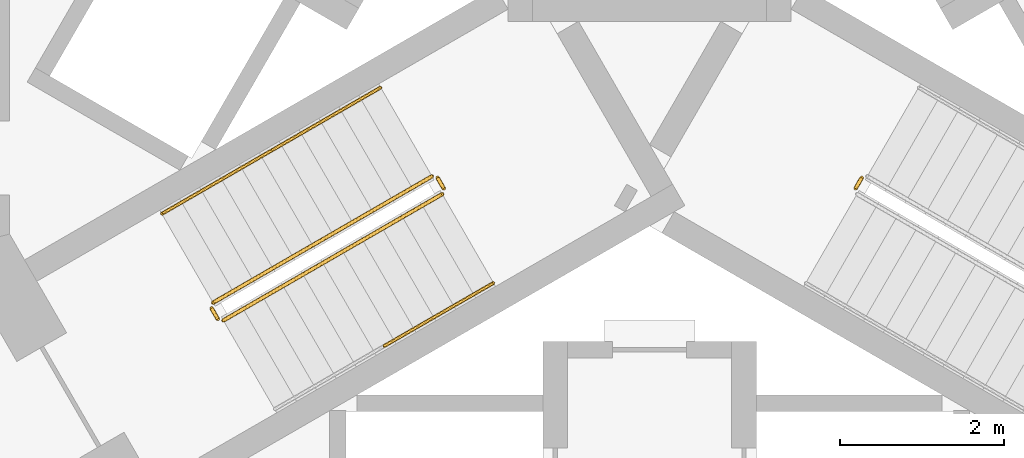
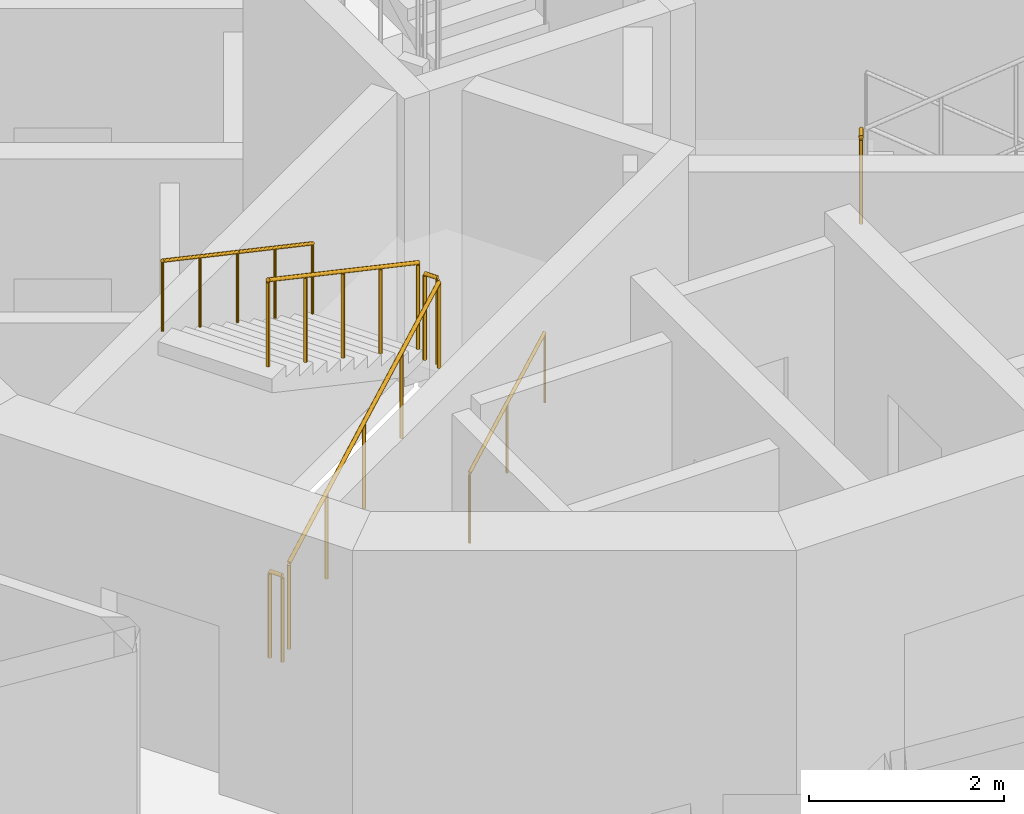
# One storey, part 11 of 16: 8 railings.
"""IFC4 building model written with IfcOpenShell, lengths in metres."""

from ifc_helpers import new_model, si_unit, direction, frame, origin, origin_2d, place, context, subcontext, project, spatial, circle, extrude, material, type_object, element, save


model = new_model("IFC4")

# Units and contexts
model_context = context("Model", 3, precision=1e-05, world=origin(), true_north=direction((0.0, 1.0)))
body_context = subcontext(model_context, "Body", "Model", "MODEL_VIEW")
ifc_project = project(units=[si_unit("LENGTHUNIT", "METRE"), si_unit("AREAUNIT", "SQUARE_METRE"), si_unit("VOLUMEUNIT", "CUBIC_METRE"), si_unit("PLANEANGLEUNIT", "RADIAN"), si_unit("MASSUNIT", "GRAM", prefix="KILO")], contexts=[model_context])

# Site, building, storey
site_placement = place(None, origin())
site = spatial("IfcSite", under=ifc_project, at=site_placement, CompositionType="ELEMENT")
building_placement = place(site_placement, origin())
building = spatial("IfcBuilding", under=site, at=building_placement, Name="Trine Commons Tower", CompositionType="ELEMENT")
storey_placement = place(building_placement, frame((0.0, 0.0, 219.60009765625)))
storey = spatial("IfcBuildingStorey", under=building, at=storey_placement, Name="L57", CompositionType="ELEMENT", Elevation=219.60009765625)

# Railings
ifc_material_1 = material(Name="Stainless steel balustrade", Category="steel")
railing_type_1 = type_object("IfcRailingType", Name="Stair guard, steel balustrade 1100", PredefinedType="GUARDRAIL", material=ifc_material_1)
railing_1_placement = place(storey_placement, frame((74.80517578125, 59.3564453125, 0.14990234375)))
element("IfcRailing", 1, at=railing_1_placement, inside=storey, type_object=railing_type_1, Name="L57 ST2C stair guard 1", PredefinedType="GUARDRAIL", context=body_context, shape_type="SweptSolid", body=[
    extrude(circle(Radius=0.02392578125, at=origin_2d()), frame((0.0, 0.0, 1.076171875), z_axis=(0.76340495495, 0.440743040072, 0.472184759798), x_axis=(-0.499992328818, 0.866029832698, 0.0)), (0.0, 0.0, 1.0), 3.494140625),
    extrude(circle(Radius=0.02099609375, at=origin_2d()), origin(), (0.0, 0.0, 1.0), 1.052001953125),
    extrude(circle(Radius=0.02099609375, at=origin_2d()), frame((0.6669921875, 0.385009765625, 0.41259765625)), (0.0, 0.0, 1.0), 1.052001953125),
    extrude(circle(Radius=0.02099609375, at=origin_2d()), frame((1.333740234375, 0.77001953125, 0.824951171875)), (0.0, 0.0, 1.0), 1.052001953125),
    extrude(circle(Radius=0.02099609375, at=origin_2d()), frame((2.00048828125, 1.155029296875, 1.2373046875)), (0.0, 0.0, 1.0), 1.052001953125),
    extrude(circle(Radius=0.02099609375, at=origin_2d()), frame((2.66748046875, 1.5400390625, 1.64990234375)), (0.0, 0.0, 1.0), 1.052001953125),
])
railing_2_placement = place(storey_placement, frame((77.490966796875, 60.96484375, 1.7998046875)))
element("IfcRailing", 2, at=railing_2_placement, inside=storey, type_object=railing_type_1, Name="L57 ST2C stair guard 2", PredefinedType="GUARDRAIL", context=body_context, shape_type="SweptSolid", body=[
    extrude(circle(Radius=0.02392578125, at=origin_2d()), frame((0.0, 0.0, 1.076171875), z_axis=(-0.501036270542, 0.865426285481, 0.0), x_axis=(-0.865426285481, -0.501036270542, 0.0)), (0.0, 0.0, 1.0), 0.150146484375),
    extrude(circle(Radius=0.02099609375, at=origin_2d()), origin(), (0.0, 0.0, 1.0), 1.052001953125),
    extrude(circle(Radius=0.02099609375, at=origin_2d()), frame((-0.0751953125, 0.1298828125, 0.0)), (0.0, 0.0, 1.0), 1.052001953125),
])
railing_3_placement = place(storey_placement, frame((77.34765625, 61.113037109375, 1.949951171875)))
element("IfcRailing", 3, at=railing_3_placement, inside=storey, type_object=railing_type_1, Name="L57 ST2C stair guard 3", PredefinedType="GUARDRAIL", context=body_context, shape_type="SweptSolid", body=[
    extrude(circle(Radius=0.02392578125, at=origin_2d()), frame((0.0, 0.0, 1.076171875), z_axis=(-0.76340495495, -0.440743040072, 0.472184759798), x_axis=(0.499992328818, -0.866029832698, 0.0)), (0.0, 0.0, 1.0), 3.494140625),
    extrude(circle(Radius=0.02099609375, at=origin_2d()), origin(), (0.0, 0.0, 1.0), 1.052001953125),
    extrude(circle(Radius=0.02099609375, at=origin_2d()), frame((-0.6669921875, -0.385009765625, 0.41259765625)), (0.0, 0.0, 1.0), 1.052001953125),
    extrude(circle(Radius=0.02099609375, at=origin_2d()), frame((-1.333740234375, -0.77001953125, 0.824951171875)), (0.0, 0.0, 1.0), 1.052001953125),
    extrude(circle(Radius=0.02099609375, at=origin_2d()), frame((-2.00048828125, -1.155029296875, 1.2373046875)), (0.0, 0.0, 1.0), 1.052001953125),
    extrude(circle(Radius=0.02099609375, at=origin_2d()), frame((-2.66748046875, -1.5400390625, 1.64990234375)), (0.0, 0.0, 1.0), 1.052001953125),
])
railing_4_placement = place(storey_placement, frame((74.73681640625, 59.374755859375, 0.0)))
element("IfcRailing", 4, at=railing_4_placement, inside=storey, type_object=railing_type_1, Name="L57 ST2C stair guard 4", PredefinedType="GUARDRAIL", context=body_context, shape_type="SweptSolid", body=[
    extrude(circle(Radius=0.02392578125, at=origin_2d()), frame((0.0, 0.0, 1.076171875), z_axis=(-0.499816412211, 0.866131372301, 0.0), x_axis=(-0.866131372301, -0.499816412211, 0.0)), (0.0, 0.0, 1.0), 0.14990234375),
    extrude(circle(Radius=0.02099609375, at=origin_2d()), origin(), (0.0, 0.0, 1.0), 1.052001953125),
    extrude(circle(Radius=0.02099609375, at=origin_2d()), frame((-0.074951171875, 0.1298828125, 0.0)), (0.0, 0.0, 1.0), 1.052001953125),
])
railing_5_placement = place(storey_placement, frame((82.584228515625, 61.0947265625, 1.7998046875)))
element("IfcRailing", 5, at=railing_5_placement, inside=storey, type_object=railing_type_1, Name="L57 ST3C stair guard 2", PredefinedType="GUARDRAIL", context=body_context, shape_type="SweptSolid", body=[
    extrude(circle(Radius=0.02392578125, at=origin_2d()), frame((0.0, 0.0, 1.076171875), z_axis=(-0.501036270542, -0.865426285481, 0.0), x_axis=(0.865426285481, -0.501036270542, 0.0)), (0.0, 0.0, 1.0), 0.150146484375),
    extrude(circle(Radius=0.02099609375, at=origin_2d()), origin(), (0.0, 0.0, 1.0), 1.052001953125),
    extrude(circle(Radius=0.02099609375, at=origin_2d()), frame((-0.0751953125, -0.1298828125, 0.0)), (0.0, 0.0, 1.0), 1.052001953125),
])
ifc_material_2 = material(Name="Stainless steel handrail", Category="steel")
railing_type_2 = type_object("IfcRailingType", Name="Stair handrail, steel 900", PredefinedType="HANDRAIL", material=ifc_material_2)
railing_6_placement = place(storey_placement, frame((76.763916015625, 59.0439453125, 0.974853515625)))
element("IfcRailing", 6, at=railing_6_placement, inside=storey, type_object=railing_type_2, Name="L57 ST2C stair handrail 2", PredefinedType="HANDRAIL", context=body_context, shape_type="SweptSolid", body=[
    extrude(circle(Radius=0.02099609375, at=origin_2d()), frame((0.0, 0.0, 0.87890625), z_axis=(0.76340495495, 0.440743040072, 0.472184759798), x_axis=(-0.499992328818, 0.866029832698, 0.0)), (0.0, 0.0, 1.0), 1.7470703125),
    extrude(circle(Radius=0.01513671875, at=origin_2d()), origin(), (0.0, 0.0, 1.0), 0.85791015625),
    extrude(circle(Radius=0.01513671875, at=origin_2d()), frame((0.6669921875, 0.385009765625, 0.41259765625)), (0.0, 0.0, 1.0), 0.85791015625),
    extrude(circle(Radius=0.01513671875, at=origin_2d()), frame((1.333740234375, 0.77001953125, 0.824951171875)), (0.0, 0.0, 1.0), 0.85791015625),
])
for number, where, name in (
    (7, (76.72265625, 62.195556640625, 1.949951171875), "L57 ST2C stair handrail 3"),
    (8, (75.388916015625, 61.425537109375, 2.77490234375), "L57 ST2C stair handrail 4"),
):
    element("IfcRailing", number, at=place(storey_placement, frame(where)), inside=storey, type_object=railing_type_2, Name=name, PredefinedType="HANDRAIL", context=body_context, shape_type="SweptSolid", body=[
        extrude(circle(Radius=0.02099609375, at=origin_2d()), frame((0.0, 0.0, 0.87890625), z_axis=(-0.76340495495, -0.440743040072, 0.472184759798), x_axis=(0.499992328818, -0.866029832698, 0.0)), (0.0, 0.0, 1.0), 1.7470703125),
        extrude(circle(Radius=0.01513671875, at=origin_2d()), origin(), (0.0, 0.0, 1.0), 0.85791015625),
        extrude(circle(Radius=0.01513671875, at=origin_2d()), frame((-0.6669921875, -0.385009765625, 0.41259765625)), (0.0, 0.0, 1.0), 0.85791015625),
        extrude(circle(Radius=0.01513671875, at=origin_2d()), frame((-1.333740234375, -0.77001953125, 0.824951171875)), (0.0, 0.0, 1.0), 0.85791015625),
    ])

save(model, "model.ifc")
